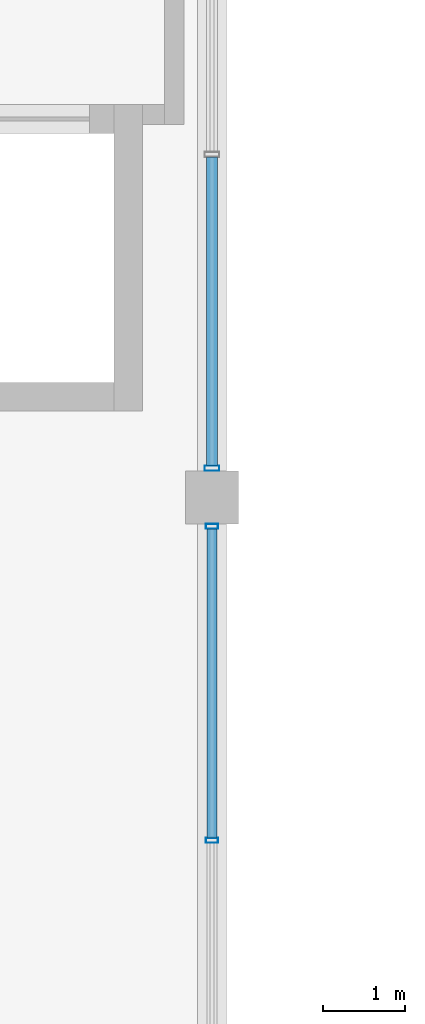
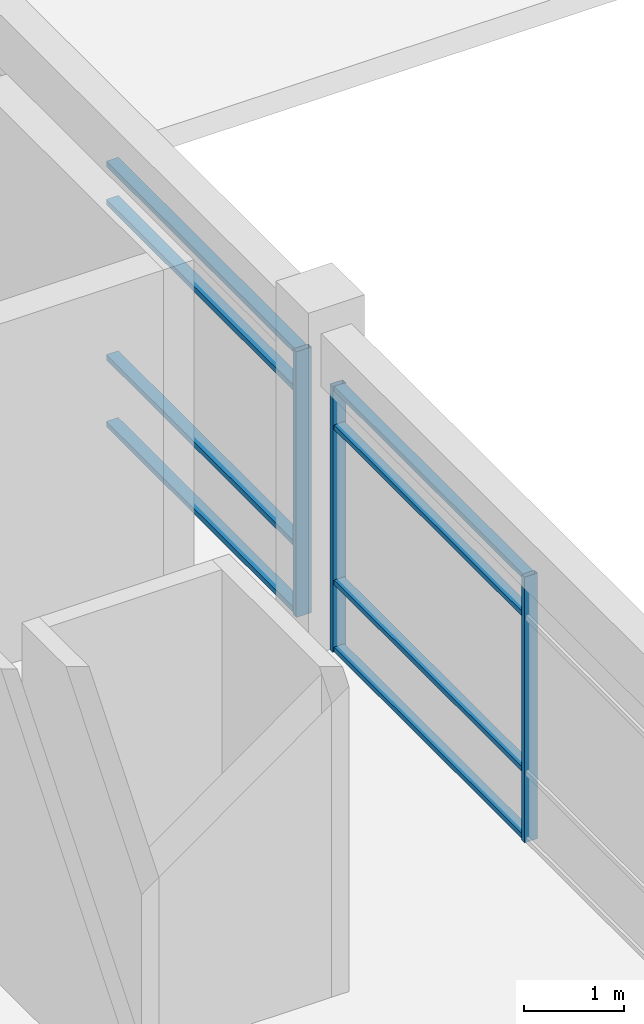
# One storey, part 4 of 32: 11 members, 2 elements without a shape of their own.
"""IFC4 building model written with IfcOpenShell, lengths in metres."""

from ifc_helpers import new_model, si_unit, direction, frame, origin, origin_2d, place, context, subcontext, project, spatial, hollow_rectangle, extrude, material, material_profile, profile_set, type_object, element, aggregate, save


model = new_model("IFC4")

# Units and contexts
model_context = context("Model", 3, precision=1e-05, world=origin(), true_north=direction((0.0, 1.0)))
body_context = subcontext(model_context, "Body", "Model", "MODEL_VIEW")
ifc_project = project(units=[si_unit("LENGTHUNIT", "METRE"), si_unit("AREAUNIT", "SQUARE_METRE"), si_unit("VOLUMEUNIT", "CUBIC_METRE"), si_unit("PLANEANGLEUNIT", "RADIAN"), si_unit("MASSUNIT", "GRAM", prefix="KILO"), si_unit("THERMODYNAMICTEMPERATUREUNIT", "KELVIN"), si_unit("POWERUNIT", "WATT")], contexts=[model_context])

# Site, building, storey
site_placement = place(None, origin())
site = spatial("IfcSite", under=ifc_project, at=site_placement, CompositionType="ELEMENT")
building_placement = place(site_placement, origin())
building = spatial("IfcBuilding", under=site, at=building_placement, Name="Srebrne Nadtorze General Hospital", CompositionType="ELEMENT")
storey_placement = place(building_placement, frame((0.0, 0.0, 29.699951171875)))
storey = spatial("IfcBuildingStorey", under=building, at=storey_placement, Name="L07", CompositionType="ELEMENT", Elevation=29.699951171875)

# Curtain wall, members
ifc_material_1 = material(Name="Anodised Aluminium", Category="aluminium")
curtain_wall_type = type_object("IfcCurtainWallType", Name="Unitised curtain wall 7750x3250", PredefinedType="NOTDEFINED", material=ifc_material_1)
curtain_wall_1_placement = place(storey_placement, origin())
curtain_wall_1 = element("IfcCurtainWall", 1, at=curtain_wall_1_placement, inside=storey, type_object=curtain_wall_type, Name="Curtain wall CW-154", PredefinedType="NOTDEFINED")
ifc_material_2 = material(Name="Anodised Aluminium", Category="aluminium")
ifc_material_profile_1 = material_profile(ifc_material_2, hollow_rectangle(XDim=0.06005859375, YDim=0.14990234375, WallThickness=0.00390625, at=origin_2d()), Name="AL-MUL-60x150")
ifc_profile_set_1 = profile_set([ifc_material_profile_1], Name="Anodised Aluminium")
member_type_1 = type_object("IfcMemberType", Name="Curtain mullion 60x150", PredefinedType="MULLION", material=ifc_profile_set_1)
member_1_placement = place(storey_placement, frame((54.60009765625, 37.800048828125, 0.0), z_axis=(0.0, 0.0, 1.0), x_axis=(0.0, 1.0, 0.0)))
member_1 = element("IfcMember", 2, at=member_1_placement, type_object=member_type_1, Name="CW-154 mullion 2", PredefinedType="MULLION", context=body_context, shape_type="SweptSolid", body=[
    extrude(hollow_rectangle(XDim=0.06005859375, YDim=0.14990234375, WallThickness=0.00390625, at=origin_2d()), origin(), (0.0, 0.0, 1.0), 3.25),
])
member_2_placement = place(storey_placement, frame((54.60009765625, 41.64501953125, 0.0), z_axis=(0.0, 0.0, 1.0), x_axis=(0.0, 1.0, 0.0)))
member_2 = element("IfcMember", 3, at=member_2_placement, type_object=member_type_1, Name="CW-154 mullion 3", PredefinedType="MULLION", context=body_context, shape_type="SweptSolid", body=[
    extrude(hollow_rectangle(XDim=0.06005859375, YDim=0.14990234375, WallThickness=0.00390625, at=origin_2d()), origin(), (0.0, 0.0, 1.0), 3.25),
])

# Curtain wall, member
curtain_wall_2_placement = place(storey_placement, origin())
curtain_wall_2 = element("IfcCurtainWall", 4, at=curtain_wall_2_placement, inside=storey, type_object=curtain_wall_type, Name="Curtain wall CW-155", PredefinedType="NOTDEFINED")
ifc_material_3 = material(Name="Anodised Aluminium", Category="aluminium")
ifc_material_profile_2 = material_profile(ifc_material_3, hollow_rectangle(XDim=0.06494140625, YDim=0.179931640625, WallThickness=0.00390625, at=origin_2d()), Name="AL-MUL-65x180")
ifc_profile_set_2 = profile_set([ifc_material_profile_2], Name="Anodised Aluminium")
member_type_2 = type_object("IfcMemberType", Name="Curtain mullion 65x180", PredefinedType="MULLION", material=ifc_profile_set_2)
member_3_placement = place(storey_placement, frame((54.60009765625, 42.357421875, 0.0), z_axis=(0.0, 0.0, 1.0), x_axis=(0.0, 1.0, 0.0)))
member_3 = element("IfcMember", 5, at=member_3_placement, type_object=member_type_2, Name="CW-155 mullion 1", PredefinedType="MULLION", context=body_context, shape_type="SweptSolid", body=[
    extrude(hollow_rectangle(XDim=0.06494140625, YDim=0.179931640625, WallThickness=0.00390625, at=origin_2d()), origin(), (0.0, 0.0, 1.0), 3.25),
])

# Member
ifc_material_4 = material(Name="Anodised Aluminium", Category="aluminium")
ifc_material_profile_3 = material_profile(ifc_material_4, hollow_rectangle(XDim=0.06005859375, YDim=0.1201171875, WallThickness=0.00390625, at=origin_2d()), Name="AL-TRN-60x120")
ifc_profile_set_3 = profile_set([ifc_material_profile_3], Name="Anodised Aluminium")
member_type_3 = type_object("IfcMemberType", Name="Curtain transom 60x120", PredefinedType="USERDEFINED", material=ifc_profile_set_3)
member_4_placement = place(storey_placement, frame((54.60009765625, 37.830078125, 0.030029296875), z_axis=(0.0, 1.0, 0.0), x_axis=(0.0, 0.0, 1.0)))
member_4 = element("IfcMember", 6, at=member_4_placement, type_object=member_type_3, Name="CW-154 transom 2.1", ObjectType="TRANSOM", PredefinedType="USERDEFINED", context=body_context, shape_type="SweptSolid", body=[
    extrude(hollow_rectangle(XDim=0.06005859375, YDim=0.1201171875, WallThickness=0.00390625, at=origin_2d()), origin(), (0.0, 0.0, 1.0), 3.784912109375),
])

member_5_placement = place(storey_placement, frame((54.60009765625, 37.830078125, 0.85009765625), z_axis=(0.0, 1.0, 0.0), x_axis=(0.0, 0.0, 1.0)))
member_5 = element("IfcMember", 7, at=member_5_placement, type_object=member_type_3, Name="CW-154 transom 2.2", ObjectType="TRANSOM", PredefinedType="USERDEFINED", context=body_context, shape_type="SweptSolid", body=[
    extrude(hollow_rectangle(XDim=0.06005859375, YDim=0.1201171875, WallThickness=0.00390625, at=origin_2d()), origin(), (0.0, 0.0, 1.0), 3.784912109375),
])

member_6_placement = place(storey_placement, frame((54.60009765625, 37.830078125, 2.75), z_axis=(0.0, 1.0, 0.0), x_axis=(0.0, 0.0, 1.0)))
member_6 = element("IfcMember", 8, at=member_6_placement, type_object=member_type_3, Name="CW-154 transom 2.3", ObjectType="TRANSOM", PredefinedType="USERDEFINED", context=body_context, shape_type="SweptSolid", body=[
    extrude(hollow_rectangle(XDim=0.06005859375, YDim=0.1201171875, WallThickness=0.00390625, at=origin_2d()), origin(), (0.0, 0.0, 1.0), 3.784912109375),
])

member_7_placement = place(storey_placement, frame((54.60009765625, 37.830078125, 3.219970703125), z_axis=(0.0, 1.0, 0.0), x_axis=(0.0, 0.0, 1.0)))
member_7 = element("IfcMember", 9, at=member_7_placement, type_object=member_type_3, Name="CW-154 transom 2.4", ObjectType="TRANSOM", PredefinedType="USERDEFINED", context=body_context, shape_type="SweptSolid", body=[
    extrude(hollow_rectangle(XDim=0.06005859375, YDim=0.1201171875, WallThickness=0.00390625, at=origin_2d()), origin(), (0.0, 0.0, 1.0), 3.784912109375),
])

aggregate(curtain_wall_1, [member_1, member_2, member_4, member_5, member_6, member_7])

ifc_material_5 = material(Name="Anodised Aluminium", Category="aluminium")
ifc_material_profile_4 = material_profile(ifc_material_5, hollow_rectangle(XDim=0.06494140625, YDim=0.139892578125, WallThickness=0.00390625, at=origin_2d()), Name="AL-TRN-65x140")
ifc_profile_set_4 = profile_set([ifc_material_profile_4], Name="Anodised Aluminium")
member_type_4 = type_object("IfcMemberType", Name="Curtain transom 65x140", PredefinedType="USERDEFINED", material=ifc_profile_set_4)
member_8_placement = place(storey_placement, frame((54.60009765625, 42.389892578125, 0.032470703125), z_axis=(0.0, 1.0, 0.0), x_axis=(0.0, 0.0, 1.0)))
member_8 = element("IfcMember", 10, at=member_8_placement, type_object=member_type_4, Name="CW-155 transom 1.1", ObjectType="TRANSOM", PredefinedType="USERDEFINED", context=body_context, shape_type="SweptSolid", body=[
    extrude(hollow_rectangle(XDim=0.06494140625, YDim=0.139892578125, WallThickness=0.00390625, at=origin_2d()), origin(), (0.0, 0.0, 1.0), 3.777587890625),
])

member_9_placement = place(storey_placement, frame((54.60009765625, 42.389892578125, 0.85009765625), z_axis=(0.0, 1.0, 0.0), x_axis=(0.0, 0.0, 1.0)))
member_9 = element("IfcMember", 11, at=member_9_placement, type_object=member_type_4, Name="CW-155 transom 1.2", ObjectType="TRANSOM", PredefinedType="USERDEFINED", context=body_context, shape_type="SweptSolid", body=[
    extrude(hollow_rectangle(XDim=0.06494140625, YDim=0.139892578125, WallThickness=0.00390625, at=origin_2d()), origin(), (0.0, 0.0, 1.0), 3.777587890625),
])

member_10_placement = place(storey_placement, frame((54.60009765625, 42.389892578125, 2.75), z_axis=(0.0, 1.0, 0.0), x_axis=(0.0, 0.0, 1.0)))
member_10 = element("IfcMember", 12, at=member_10_placement, type_object=member_type_4, Name="CW-155 transom 1.3", ObjectType="TRANSOM", PredefinedType="USERDEFINED", context=body_context, shape_type="SweptSolid", body=[
    extrude(hollow_rectangle(XDim=0.06494140625, YDim=0.139892578125, WallThickness=0.00390625, at=origin_2d()), origin(), (0.0, 0.0, 1.0), 3.777587890625),
])

member_11_placement = place(storey_placement, frame((54.60009765625, 42.389892578125, 3.217529296875), z_axis=(0.0, 1.0, 0.0), x_axis=(0.0, 0.0, 1.0)))
member_11 = element("IfcMember", 13, at=member_11_placement, type_object=member_type_4, Name="CW-155 transom 1.4", ObjectType="TRANSOM", PredefinedType="USERDEFINED", context=body_context, shape_type="SweptSolid", body=[
    extrude(hollow_rectangle(XDim=0.06494140625, YDim=0.139892578125, WallThickness=0.00390625, at=origin_2d()), origin(), (0.0, 0.0, 1.0), 3.777587890625),
])

aggregate(curtain_wall_2, [member_3, member_8, member_9, member_10, member_11])

save(model, "model.ifc")
